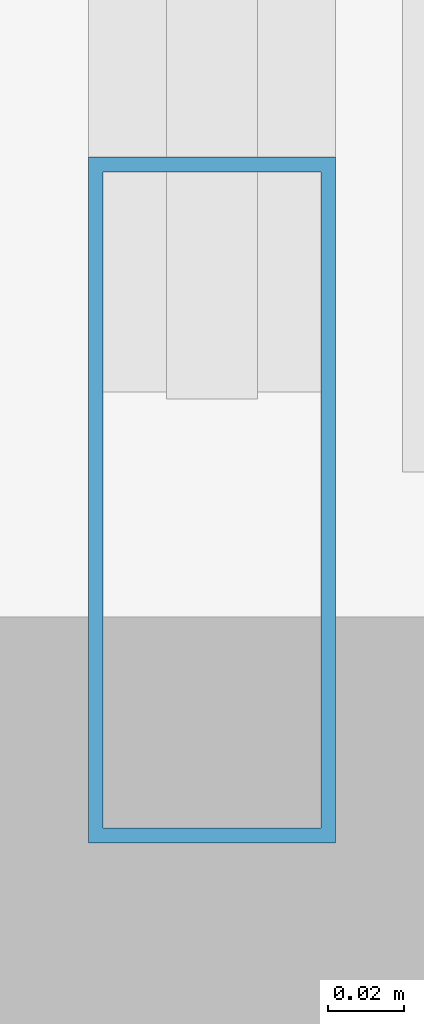
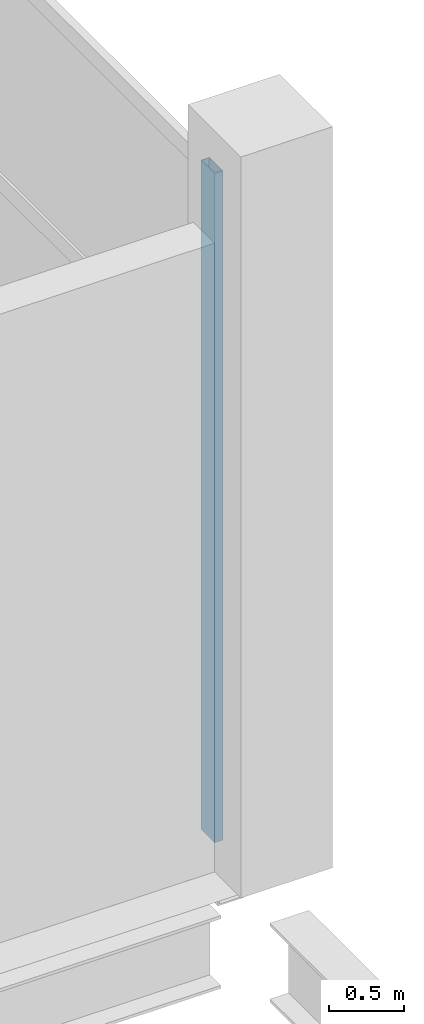
# One storey, part 136 of 191: 1 member, 1 element without a shape of its own.
"""IFC4 building model written with IfcOpenShell, lengths in metres."""

from ifc_helpers import new_model, si_unit, direction, frame, origin, origin_2d, place, context, subcontext, project, spatial, hollow_rectangle, extrude, material, layer, layer_set, material_profile, profile_set, type_object, element, aggregate, save


model = new_model("IFC4")

# Units and contexts
model_context = context("Model", 3, precision=1e-05, world=origin(), true_north=direction((0.0, 1.0)))
body_context = subcontext(model_context, "Body", "Model", "MODEL_VIEW")
ifc_project = project(units=[si_unit("LENGTHUNIT", "METRE"), si_unit("AREAUNIT", "SQUARE_METRE"), si_unit("VOLUMEUNIT", "CUBIC_METRE"), si_unit("PLANEANGLEUNIT", "RADIAN"), si_unit("MASSUNIT", "GRAM", prefix="KILO")], contexts=[model_context])

# Site, building, storey
site_placement = place(None, origin())
site = spatial("IfcSite", under=ifc_project, at=site_placement, CompositionType="ELEMENT")
building_placement = place(site_placement, origin())
building = spatial("IfcBuilding", under=site, at=building_placement, Name="Tamarisk Ironworks Central Station", CompositionType="ELEMENT")
storey_placement = place(building_placement, frame((0.0, 0.0, 6.60009765625)))
storey = spatial("IfcBuildingStorey", under=building, at=storey_placement, Name="L01", CompositionType="ELEMENT", Elevation=6.60009765625)

# Curtain wall, member
ifc_material = material(Name="Anodized aluminium alloy 6063-T6", Category="aluminium")
ifc_layer = layer(ifc_material, 0.179931640625)
ifc_layer_set = layer_set([ifc_layer], Name="Anodized aluminium alloy 6063-T6")
curtain_wall_type = type_object("IfcCurtainWallType", Name="CW-16", PredefinedType="USERDEFINED", material=ifc_layer_set)
curtain_wall_placement = place(storey_placement, origin())
curtain_wall = element("IfcCurtainWall", 1, at=curtain_wall_placement, inside=storey, type_object=curtain_wall_type, Name="Operations L01 east facade curtain wall 079", ObjectType="GLAZED CURTAIN WALL", PredefinedType="USERDEFINED")
ifc_material_profile = material_profile(ifc_material, hollow_rectangle(XDim=0.06494140625, YDim=0.179931640625, WallThickness=0.00390625, at=origin_2d()), Name="ALUM 180x65")
ifc_profile_set = profile_set([ifc_material_profile], Name="Anodized aluminium alloy 6063-T6")
member_type = type_object("IfcMemberType", Name="CWM-02", PredefinedType="MULLION", material=ifc_profile_set)
member_placement = place(storey_placement, frame((179.85009765625, 79.58056640625, 0.0), z_axis=(0.0, 0.0, 1.0), x_axis=(-1.0, 0.0, 0.0)))
member = element("IfcMember", 2, at=member_placement, type_object=member_type, Name="CW16 mullion 1", PredefinedType="MULLION", context=body_context, shape_type="SweptSolid", body=[
    extrude(hollow_rectangle(XDim=0.06494140625, YDim=0.179931640625, WallThickness=0.00390625, at=origin_2d()), origin(), (0.0, 0.0, 1.0), 5.419921875),
])
aggregate(curtain_wall, [member])

save(model, "model.ifc")
